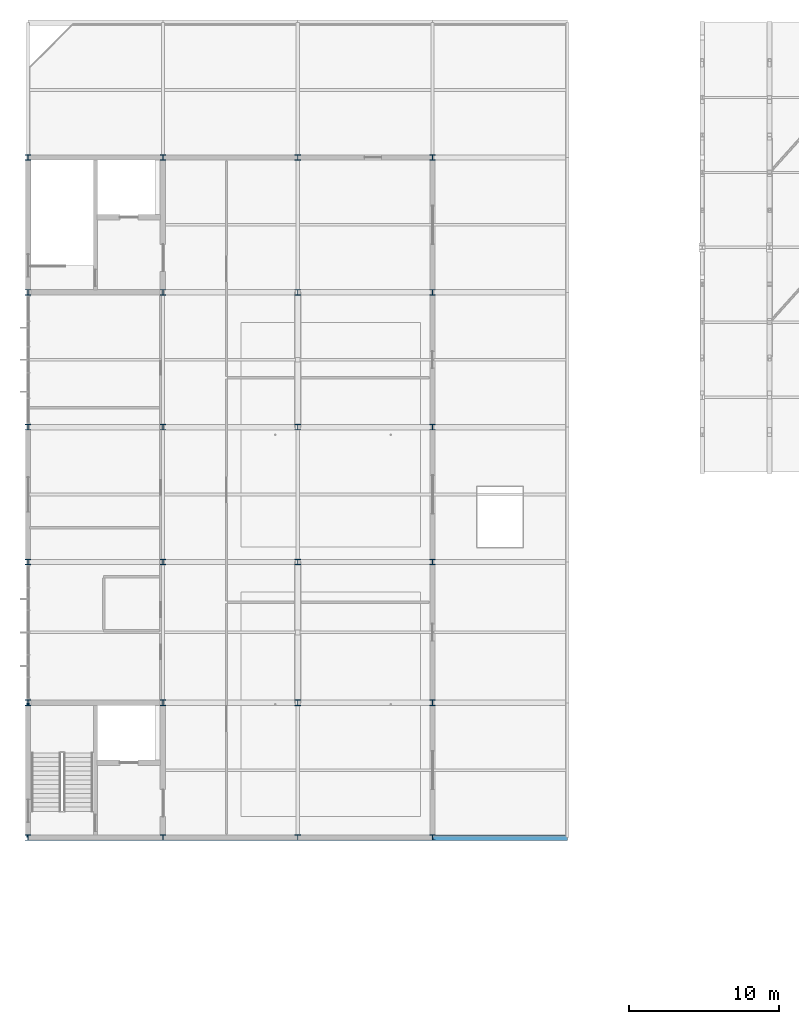
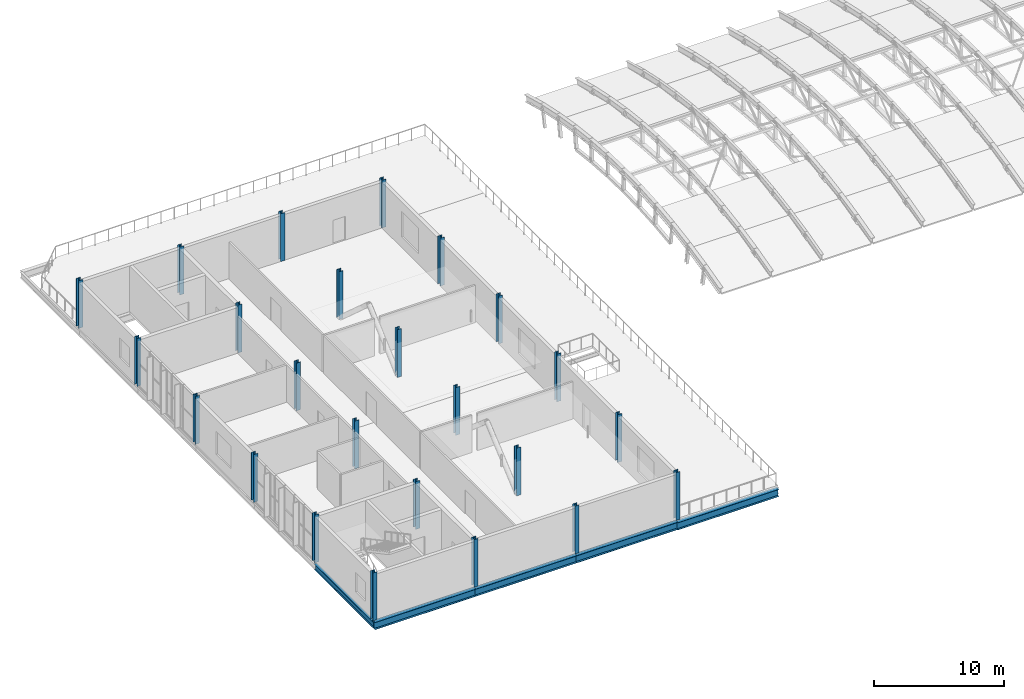
# One storey, part 1 of 53: 24 columns, 5 beams.
"""IFC4 building model written with IfcOpenShell, lengths in metres."""

from ifc_helpers import new_model, si_unit, direction, frame, origin, origin_2d, place, context, subcontext, project, spatial, i_section, extrude, material, material_profile, profile_set, type_object, element, save


model = new_model("IFC4")

# Units and contexts
model_context = context("Model", 3, precision=1e-05, world=origin(), true_north=direction((0.0, 1.0)))
body_context = subcontext(model_context, "Body", "Model", "MODEL_VIEW")
ifc_project = project(units=[si_unit("LENGTHUNIT", "METRE"), si_unit("AREAUNIT", "SQUARE_METRE"), si_unit("VOLUMEUNIT", "CUBIC_METRE"), si_unit("PLANEANGLEUNIT", "RADIAN"), si_unit("MASSUNIT", "GRAM", prefix="KILO")], contexts=[model_context])

# Site, building, storey
site_placement = place(None, origin())
site = spatial("IfcSite", under=ifc_project, at=site_placement, CompositionType="ELEMENT")
building_placement = place(site_placement, origin())
building = spatial("IfcBuilding", under=site, at=building_placement, Name="Cazmaro Siding Exhibition Halls", CompositionType="ELEMENT")
storey_placement = place(building_placement, frame((0.0, 0.0, 21.0)))
storey = spatial("IfcBuildingStorey", under=building, at=storey_placement, Name="L04", CompositionType="ELEMENT", Elevation=21.0)

# Columns
ifc_material_1 = material(Name="Steel ASTM A992 Grade 50", Category="steel")
ifc_material_profile_1 = material_profile(ifc_material_1, i_section(OverallWidth=0.373046875, OverallDepth=0.373046875, WebThickness=0.01611328125, FlangeThickness=0.02587890625, at=origin_2d()), Name="W14X132")
ifc_profile_set_1 = profile_set([ifc_material_profile_1], Name="Steel ASTM A992 Grade 50")
column_type = type_object("IfcColumnType", Name="C-04", PredefinedType="COLUMN", material=ifc_profile_set_1)
for number, where, z_axis, x_axis, name in (
    (1, (0.0, 54.60009765625, 0.0), (0.0, 0.0, 1.0), (1.0, 0.0, 0.0), "Column C-04 COL-0885"),
    (2, (0.0, 63.60009765625, 0.0), (0.0, 0.0, 1.0), (1.0, 0.0, 0.0), "Column C-04 COL-0890"),
    (3, (0.0, 73.0, 0.0), (0.0, 0.0, 1.0), (1.0, 0.0, 0.0), "Column C-04 COL-0895"),
    (4, (0.0, 82.0, 0.0), (0.0, 0.0, 1.0), (1.0, 0.0, 0.0), "Column C-04 COL-0900"),
    (5, (0.0, 91.0, 0.0), (0.0, 0.0, 1.0), (1.0, 0.0, 0.0), "Column C-04 COL-0905"),
    (6, (0.0, 100.0, 0.0), (0.0, 0.0, 1.0), (1.0, 0.0, 0.0), "Column C-04 COL-0910"),
    (7, (9.0, 54.60009765625, 0.0), (0.0, 0.0, 1.0), (1.0, 0.0, 0.0), "Column C-04 COL-0925"),
    (8, (9.0, 63.60009765625, 0.0), (0.0, 0.0, 1.0), (1.0, 0.0, 0.0), "Column C-04 COL-0930"),
    (9, (9.0, 73.0, 0.0), (0.0, 0.0, 1.0), (1.0, 0.0, 0.0), "Column C-04 COL-0935"),
    (10, (9.0, 82.0, 0.0), (0.0, 0.0, 1.0), (1.0, 0.0, 0.0), "Column C-04 COL-0940"),
    (11, (9.0, 91.0, 0.0), (0.0, 0.0, 1.0), (1.0, 0.0, 0.0), "Column C-04 COL-0945"),
    (12, (9.0, 100.0, 0.0), (0.0, 0.0, 1.0), (1.0, 0.0, 0.0), "Column C-04 COL-0950"),
    (13, (18.0, 54.60009765625, 0.0), (0.0, 0.0, 1.0), (1.0, 0.0, 0.0), "Column C-04 COL-0965"),
    (14, (18.0, 63.60009765625, 0.0), (0.0, 0.0, 1.0), (1.0, 0.0, 0.0), "Column C-04 COL-0970"),
    (15, (18.0, 73.0, 0.0), (0.0, 0.0, 1.0), (1.0, 0.0, 0.0), "Column C-04 COL-0975"),
    (16, (18.0, 82.0, 0.0), (0.0, 0.0, 1.0), (1.0, 0.0, 0.0), "Column C-04 COL-0980"),
    (17, (18.0, 91.0, 0.0), (0.0, 0.0, 1.0), (1.0, 0.0, 0.0), "Column C-04 COL-0985"),
    (18, (18.0, 100.0, 0.0), (0.0, 0.0, 1.0), (1.0, 0.0, 0.0), "Column C-04 COL-0990"),
    (19, (27.0, 54.60009765625, 0.0), (0.0, 0.0, 1.0), (1.0, 0.0, 0.0), "Column C-04 COL-1005"),
    (20, (27.0, 63.60009765625, 0.0), (0.0, 0.0, 1.0), (1.0, 0.0, 0.0), "Column C-04 COL-1010"),
    (21, (27.0, 73.0, 0.0), (0.0, 0.0, 1.0), (1.0, 0.0, 0.0), "Column C-04 COL-1015"),
    (22, (27.0, 82.0, 0.0), (0.0, 0.0, 1.0), (1.0, 0.0, 0.0), "Column C-04 COL-1020"),
    (23, (27.0, 91.0, 0.0), (0.0, 0.0, 1.0), (1.0, 0.0, 0.0), "Column C-04 COL-1025"),
    (24, (27.0, 100.0, 0.0), (0.0, 0.0, 1.0), (1.0, 0.0, 0.0), "Column C-04 COL-1030"),
):
    element("IfcColumn", number, at=place(storey_placement, frame(where, z_axis=z_axis, x_axis=x_axis)), inside=storey, type_object=column_type, Name=name, PredefinedType="COLUMN", context=body_context, shape_type="SweptSolid", body=[
        extrude(i_section(OverallWidth=0.373046875, OverallDepth=0.373046875, WebThickness=0.01611328125, FlangeThickness=0.02587890625, at=origin_2d()), origin(), (0.0, 0.0, 1.0), 4.5),
    ])

# Beams
ifc_material_2 = material(Name="Steel ASTM A992 Grade 50", Category="steel")
ifc_material_profile_2 = material_profile(ifc_material_2, i_section(OverallWidth=0.214111328125, OverallDepth=0.549072265625, WebThickness=0.014892578125, FlangeThickness=0.02392578125, at=origin_2d()), Name="W21X93")
ifc_profile_set_2 = profile_set([ifc_material_profile_2], Name="Steel ASTM A992 Grade 50")
beam_type_1 = type_object("IfcBeamType", Name="B-01", PredefinedType="BEAM", material=ifc_profile_set_2)
beam_placement = place(storey_placement, frame((0.0, 54.60009765625, -0.493896484375), z_axis=(0.0, 1.0, 0.0), x_axis=(-1.0, 0.0, 0.0)))
element("IfcBeam", 25, at=beam_placement, inside=storey, type_object=beam_type_1, Name="Beam B-01 BM-2328", PredefinedType="BEAM", context=body_context, shape_type="SweptSolid", body=[
    extrude(i_section(OverallWidth=0.214111328125, OverallDepth=0.549072265625, WebThickness=0.014892578125, FlangeThickness=0.02392578125, at=origin_2d()), origin(), (0.0, 0.0, 1.0), 9.0),
])
ifc_material_3 = material(Name="Steel ASTM A992 Grade 50", Category="steel")
ifc_material_profile_3 = material_profile(ifc_material_3, i_section(OverallWidth=0.35595703125, OverallDepth=0.696044921875, WebThickness=0.014892578125, FlangeThickness=0.02490234375, at=origin_2d()), Name="W27X146")
ifc_profile_set_3 = profile_set([ifc_material_profile_3], Name="Steel ASTM A992 Grade 50")
beam_type_2 = type_object("IfcBeamType", Name="G-05", PredefinedType="USERDEFINED", material=ifc_profile_set_3)
for number, where, z_axis, x_axis, name in (
    (26, (0.0, 54.60009765625, -0.568115234375), (1.0, 0.0, 0.0), (0.0, 1.0, 0.0), "Beam G-05 BM-2278"),
    (27, (9.0, 54.60009765625, -0.568115234375), (1.0, 0.0, 0.0), (0.0, 1.0, 0.0), "Beam G-05 BM-2289"),
    (28, (18.0, 54.60009765625, -0.568115234375), (1.0, 0.0, 0.0), (0.0, 1.0, 0.0), "Beam G-05 BM-2302"),
    (29, (27.0, 54.60009765625, -0.617919921875), (1.0, 0.0, 0.0), (0.0, 1.0, 0.0), "Beam G-05 BM-2315"),
):
    element("IfcBeam", number, at=place(storey_placement, frame(where, z_axis=z_axis, x_axis=x_axis)), inside=storey, type_object=beam_type_2, Name=name, ObjectType="GIRDER", PredefinedType="USERDEFINED", context=body_context, shape_type="SweptSolid", body=[
        extrude(i_section(OverallWidth=0.35595703125, OverallDepth=0.696044921875, WebThickness=0.014892578125, FlangeThickness=0.02490234375, at=origin_2d()), origin(), (0.0, 0.0, 1.0), 9.0),
    ])

save(model, "model.ifc")
